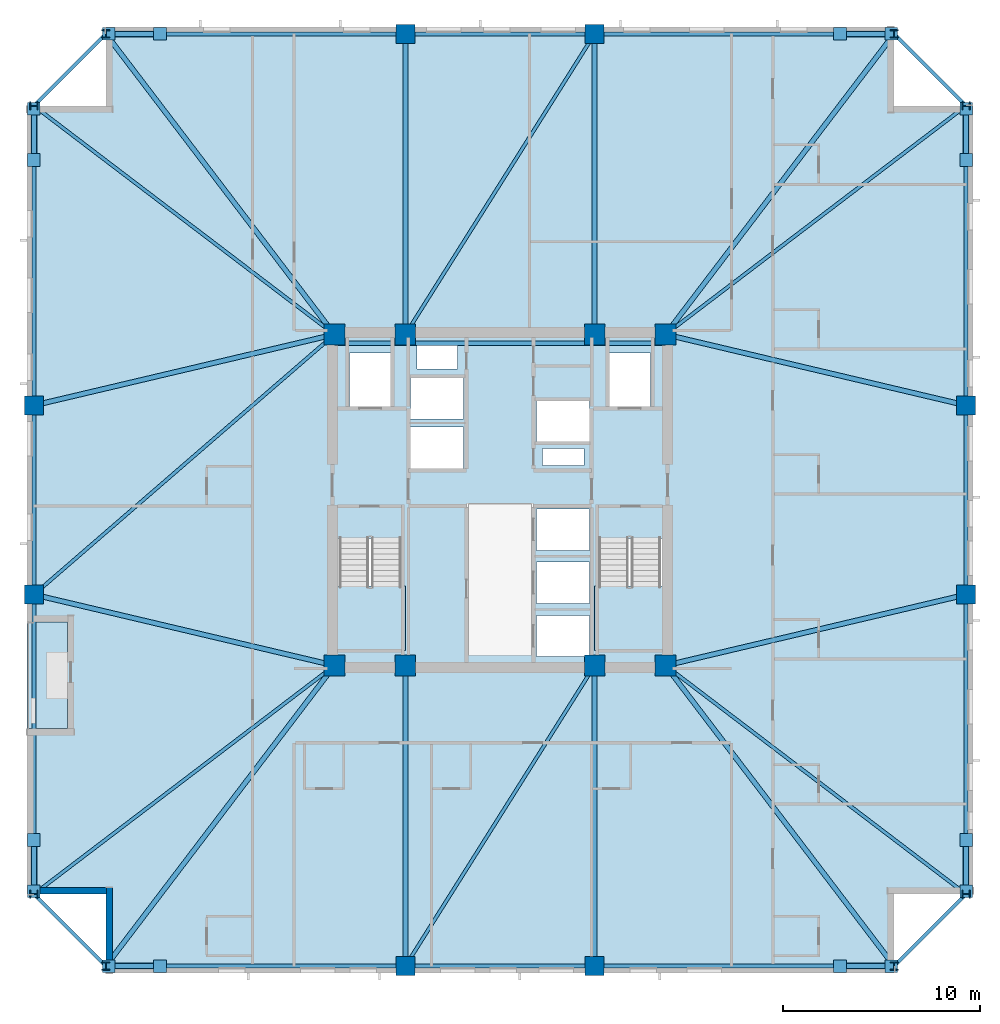
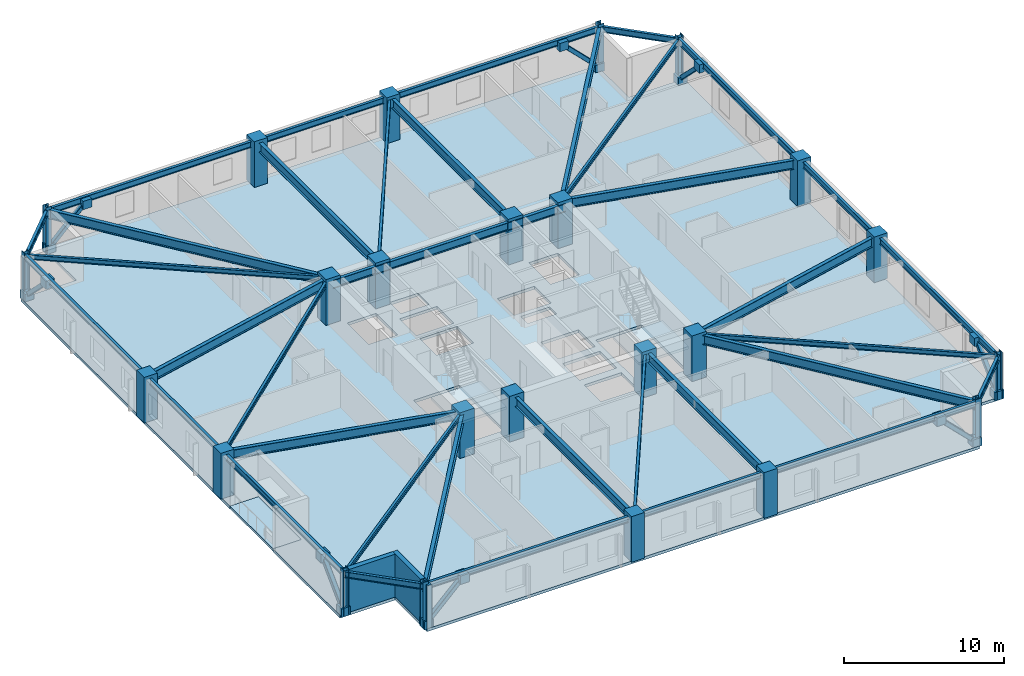
# One storey, part 1 of 11: 38 beams, 24 columns, 16 plates, 8 members, 4 slabs, 2 walls, 2 elements without a shape of their own.
"""IFC4 building model written with IfcOpenShell, lengths in metres."""

from ifc_helpers import new_model, si_unit, direction, frame, frame_2d, origin, origin_2d, place, context, subcontext, project, spatial, polyline, rectangle, hollow_rectangle, i_section, outline, extrude, material, layer, layer_set, material_profile, profile_set, type_object, element, aggregate, save


model = new_model("IFC4")

# Units and contexts
model_context = context("Model", 3, precision=1e-05, world=origin(), true_north=direction((0.0, 1.0)))
body_context = subcontext(model_context, "Body", "Model", "MODEL_VIEW")
ifc_project = project(units=[si_unit("LENGTHUNIT", "METRE"), si_unit("AREAUNIT", "SQUARE_METRE"), si_unit("VOLUMEUNIT", "CUBIC_METRE"), si_unit("PLANEANGLEUNIT", "RADIAN"), si_unit("MASSUNIT", "GRAM", prefix="KILO")], contexts=[model_context])

# Site, building, storey
site_placement = place(None, origin())
site = spatial("IfcSite", under=ifc_project, at=site_placement, CompositionType="ELEMENT")
building_placement = place(site_placement, origin())
building = spatial("IfcBuilding", under=site, at=building_placement, Name="Cairnveth Concourse Tower", CompositionType="ELEMENT")
storey_placement = place(building_placement, frame((0.0, 0.0, 134.0)))
storey = spatial("IfcBuildingStorey", under=building, at=storey_placement, Name="L36", CompositionType="ELEMENT", Elevation=134.0)

# Columns
ifc_material_1 = material(Name="Concrete N65 (65 MPa)", Category="concrete")
ifc_material_profile_1 = material_profile(ifc_material_1, rectangle(XDim=1.050048828125, YDim=1.050048828125, at=origin_2d()), Name="RC-COL-1050x1050")
ifc_profile_set_1 = profile_set([ifc_material_profile_1], Name="Concrete N65 (65 MPa)")
column_type_1 = type_object("IfcColumnType", Name="CORE COLUMN 1050X1050", PredefinedType="COLUMN", material=ifc_profile_set_1)
for number, where, z_axis, x_axis, name in (
    (1, (43.60009765625, 30.60009765625, 0.0), (0.0, 0.0, 1.0), (1.0, 0.0, 0.0), "Column CC1 L36"),
    (2, (47.199951171875, 30.60009765625, 0.0), (0.0, 0.0, 1.0), (1.0, 0.0, 0.0), "Column CC2 L36"),
    (3, (56.800048828125, 30.60009765625, 0.0), (0.0, 0.0, 1.0), (1.0, 0.0, 0.0), "Column CC3 L36"),
    (4, (60.39990234375, 30.60009765625, 0.0), (0.0, 0.0, 1.0), (1.0, 0.0, 0.0), "Column CC4 L36"),
    (5, (43.60009765625, 47.39990234375, 0.0), (0.0, 0.0, 1.0), (1.0, 0.0, 0.0), "Column CC5 L36"),
    (6, (47.199951171875, 47.39990234375, 0.0), (0.0, 0.0, 1.0), (1.0, 0.0, 0.0), "Column CC6 L36"),
    (7, (56.800048828125, 47.39990234375, 0.0), (0.0, 0.0, 1.0), (1.0, 0.0, 0.0), "Column CC7 L36"),
    (8, (60.39990234375, 47.39990234375, 0.0), (0.0, 0.0, 1.0), (1.0, 0.0, 0.0), "Column CC8 L36"),
):
    element("IfcColumn", number, at=place(storey_placement, frame(where, z_axis=z_axis, x_axis=x_axis)), inside=storey, type_object=column_type_1, Name=name, PredefinedType="COLUMN", context=body_context, shape_type="SweptSolid", body=[
        extrude(rectangle(XDim=1.050048828125, YDim=1.050048828125, at=origin_2d()), origin(), (0.0, 0.0, 1.0), 3.5),
    ])
ifc_material_profile_2 = material_profile(ifc_material_1, rectangle(XDim=0.949951171875, YDim=0.949951171875, at=origin_2d()), Name="RC-COL-950x950")
ifc_profile_set_2 = profile_set([ifc_material_profile_2], Name="Concrete N65 (65 MPa)")
column_type_2 = type_object("IfcColumnType", Name="PERIMETER PIER COLUMN 950X950", PredefinedType="COLUMN", material=ifc_profile_set_2)
for number, where, z_axis, x_axis, name in (
    (9, (47.199951171875, 15.35009765625, 0.0), (0.0, 0.0, 1.0), (1.0, 0.0, 0.0), "Column P-S2 L36"),
    (10, (56.800048828125, 15.35009765625, 0.0), (0.0, 0.0, 1.0), (1.0, 0.0, 0.0), "Column P-S3 L36"),
    (11, (75.64990234375, 34.199951171875, 0.0), (0.0, 0.0, 1.0), (0.0, 1.0, 0.0), "Column P-E2 L36"),
    (12, (75.64990234375, 43.800048828125, 0.0), (0.0, 0.0, 1.0), (0.0, 1.0, 0.0), "Column P-E3 L36"),
    (13, (56.800048828125, 62.64990234375, 0.0), (0.0, 0.0, 1.0), (1.0, 0.0, 0.0), "Column P-N2 L36"),
    (14, (47.199951171875, 62.64990234375, 0.0), (0.0, 0.0, 1.0), (1.0, 0.0, 0.0), "Column P-N3 L36"),
    (15, (28.35009765625, 43.800048828125, 0.0), (0.0, 0.0, 1.0), (0.0, 1.0, 0.0), "Column P-W2 L36"),
    (16, (28.35009765625, 34.199951171875, 0.0), (0.0, 0.0, 1.0), (0.0, 1.0, 0.0), "Column P-W3 L36"),
):
    element("IfcColumn", number, at=place(storey_placement, frame(where, z_axis=z_axis, x_axis=x_axis)), inside=storey, type_object=column_type_2, Name=name, PredefinedType="COLUMN", context=body_context, shape_type="SweptSolid", body=[
        extrude(rectangle(XDim=0.949951171875, YDim=0.949951171875, at=origin_2d()), origin(), (0.0, 0.0, 1.0), 3.5),
    ])
ifc_material_2 = material(Name="Steel Grade 350", Category="steel")
ifc_material_profile_3 = material_profile(ifc_material_2, i_section(OverallWidth=0.39990234375, OverallDepth=0.39990234375, WebThickness=0.02197265625, FlangeThickness=0.035888671875, at=origin_2d()), Name="400WC270")
ifc_profile_set_3 = profile_set([ifc_material_profile_3], Name="Steel Grade 350")
column_type_3 = type_object("IfcColumnType", Name="WELDED STEEL COLUMN 400WC270", PredefinedType="COLUMN", material=ifc_profile_set_3)
for number, where, z_axis, x_axis, name in (
    (17, (32.0, 15.35009765625, 0.0), (0.0, 0.0, 1.0), (1.0, 0.0, 0.0), "Column P-S1 L36"),
    (18, (72.0, 15.35009765625, 0.0), (0.0, 0.0, 1.0), (1.0, 0.0, 0.0), "Column P-S4 L36"),
    (19, (75.64990234375, 19.0, 0.0), (0.0, 0.0, 1.0), (0.0, 1.0, 0.0), "Column P-E1 L36"),
    (20, (75.64990234375, 59.0, 0.0), (0.0, 0.0, 1.0), (0.0, 1.0, 0.0), "Column P-E4 L36"),
    (21, (72.0, 62.64990234375, 0.0), (0.0, 0.0, 1.0), (1.0, 0.0, 0.0), "Column P-N1 L36"),
    (22, (32.0, 62.64990234375, 0.0), (0.0, 0.0, 1.0), (1.0, 0.0, 0.0), "Column P-N4 L36"),
    (23, (28.35009765625, 59.0, 0.0), (0.0, 0.0, 1.0), (0.0, 1.0, 0.0), "Column P-W1 L36"),
    (24, (28.35009765625, 19.0, 0.0), (0.0, 0.0, 1.0), (0.0, 1.0, 0.0), "Column P-W4 L36"),
):
    element("IfcColumn", number, at=place(storey_placement, frame(where, z_axis=z_axis, x_axis=x_axis)), inside=storey, type_object=column_type_3, Name=name, PredefinedType="COLUMN", context=body_context, shape_type="SweptSolid", body=[
        extrude(i_section(OverallWidth=0.39990234375, OverallDepth=0.39990234375, WebThickness=0.02197265625, FlangeThickness=0.035888671875, at=origin_2d()), origin(), (0.0, 0.0, 1.0), 3.5),
    ])

# Beams
ifc_material_profile_4 = material_profile(ifc_material_2, i_section(OverallWidth=0.22802734375, OverallDepth=0.60693359375, WebThickness=0.01123046875, FlangeThickness=0.017333984375, FilletRadius=0.013916015625, at=origin_2d()), Name="610UB113")
ifc_profile_set_4 = profile_set([ifc_material_profile_4], Name="Steel Grade 350")
beam_type_1 = type_object("IfcBeamType", Name="CORE TIE BEAM 610UB113", PredefinedType="T_BEAM", material=ifc_profile_set_4)
for number, where, z_axis, x_axis, name in (
    (25, (43.60009765625, 46.949951171875, 2.9765625), (1.0, 0.0, 0.0), (0.0, 1.0, 0.0), "Beam CT-N1 L36"),
    (26, (56.800048828125, 46.949951171875, 2.9765625), (1.0, 0.0, 0.0), (0.0, 1.0, 0.0), "Beam CT-N3 L36"),
):
    element("IfcBeam", number, at=place(storey_placement, frame(where, z_axis=z_axis, x_axis=x_axis)), inside=storey, type_object=beam_type_1, Name=name, PredefinedType="T_BEAM", context=body_context, shape_type="SweptSolid", body=[
        extrude(i_section(OverallWidth=0.22802734375, OverallDepth=0.60693359375, WebThickness=0.01123046875, FlangeThickness=0.017333984375, FilletRadius=0.013916015625, at=origin_2d()), origin(), (0.0, 0.0, 1.0), 3.599853515625),
    ])
beam_1_placement = place(storey_placement, frame((47.199951171875, 46.949951171875, 2.9765625), z_axis=(1.0, 0.0, 0.0), x_axis=(0.0, 1.0, 0.0)))
element("IfcBeam", 27, at=beam_1_placement, inside=storey, type_object=beam_type_1, Name="Beam CT-N2 L36", PredefinedType="T_BEAM", context=body_context, shape_type="SweptSolid", body=[
    extrude(i_section(OverallWidth=0.22802734375, OverallDepth=0.60693359375, WebThickness=0.01123046875, FlangeThickness=0.017333984375, FilletRadius=0.013916015625, at=origin_2d()), origin(), (0.0, 0.0, 1.0), 9.60009765625),
])
ifc_material_profile_5 = material_profile(ifc_material_2, i_section(OverallWidth=0.172119140625, OverallDepth=0.35888671875, WebThickness=0.008056640625, FlangeThickness=0.012939453125, FilletRadius=0.010986328125, at=origin_2d()), Name="360UB56.7")
ifc_profile_set_5 = profile_set([ifc_material_profile_5], Name="Steel Grade 350")
beam_type_2 = type_object("IfcBeamType", Name="ZONE 2 FLOOR JOIST 360UB56.7", PredefinedType="JOIST", material=ifc_profile_set_5)
for number, where, z_axis, x_axis, name in (
    (28, (28.35009765625, 19.0, 3.1005859375), (0.795908242904, 0.6054172684, 0.0), (-0.6054172684, 0.795908242904, 0.0), "Beam FJ-CSW2 L36"),
    (29, (75.64990234375, 19.0, 3.1005859375), (-0.795908242904, 0.6054172684, 0.0), (-0.6054172684, -0.795908242904, 0.0), "Beam FJ-CSE2 L36"),
    (30, (75.64990234375, 59.0, 3.1005859375), (-0.795908242904, -0.6054172684, 0.0), (0.6054172684, -0.795908242904, 0.0), "Beam FJ-CNE2 L36"),
    (31, (28.35009765625, 59.0, 3.1005859375), (0.795908242904, -0.6054172684, 0.0), (0.6054172684, 0.795908242904, 0.0), "Beam FJ-CNW2 L36"),
):
    element("IfcBeam", number, at=place(storey_placement, frame(where, z_axis=z_axis, x_axis=x_axis)), inside=storey, type_object=beam_type_2, Name=name, PredefinedType="JOIST", context=body_context, shape_type="SweptSolid", body=[
        extrude(i_section(OverallWidth=0.172119140625, OverallDepth=0.35888671875, WebThickness=0.008056640625, FlangeThickness=0.012939453125, FilletRadius=0.010986328125, at=origin_2d()), origin(), (0.0, 0.0, 1.0), 19.160400390625),
    ])
for number, where, z_axis, x_axis, name in (
    (32, (47.199951171875, 15.35009765625, 3.1005859375), (0.532743557037, 0.84627672923, 0.0), (-0.84627672923, 0.532743557037, 0.0), "Beam FJ-S-M1 L36"),
    (33, (47.199951171875, 47.39990234375, 3.1005859375), (0.532743557037, 0.84627672923, 0.0), (-0.84627672923, 0.532743557037, 0.0), "Beam FJ-N-M1 L36"),
):
    element("IfcBeam", number, at=place(storey_placement, frame(where, z_axis=z_axis, x_axis=x_axis)), inside=storey, type_object=beam_type_2, Name=name, PredefinedType="JOIST", context=body_context, shape_type="SweptSolid", body=[
        extrude(i_section(OverallWidth=0.172119140625, OverallDepth=0.35888671875, WebThickness=0.008056640625, FlangeThickness=0.012939453125, FilletRadius=0.010986328125, at=origin_2d()), origin(), (0.0, 0.0, 1.0), 18.02001953125),
    ])
beam_2_placement = place(storey_placement, frame((28.35009765625, 34.199951171875, 3.1005859375), z_axis=(0.756099107057, 0.654457134049, 0.0), x_axis=(-0.654457134049, 0.756099107057, 0.0)))
element("IfcBeam", 34, at=beam_2_placement, inside=storey, type_object=beam_type_2, Name="Beam FJ-W-M1 L36", PredefinedType="JOIST", context=body_context, shape_type="SweptSolid", body=[
    extrude(i_section(OverallWidth=0.172119140625, OverallDepth=0.35888671875, WebThickness=0.008056640625, FlangeThickness=0.012939453125, FilletRadius=0.010986328125, at=origin_2d()), origin(), (0.0, 0.0, 1.0), 20.16943359375),
])

# Members
ifc_material_3 = material(Name="Steel C350L0 (350 MPa)", Category="steel")
ifc_material_profile_6 = material_profile(ifc_material_3, hollow_rectangle(XDim=0.300048828125, YDim=0.300048828125, WallThickness=0.01611328125, InnerFilletRadius=0.01611328125, OuterFilletRadius=0.031982421875, at=origin_2d()), Name="300x300x16.0SHS")
ifc_profile_set_6 = profile_set([ifc_material_profile_6], Name="Steel C350L0 (350 MPa)")
member_type = type_object("IfcMemberType", Name="ZONE 2 PIER BRACE 300X300X16SHS", PredefinedType="BRACE", material=ifc_profile_set_6)
for number, where, z_axis, x_axis, name in (
    (35, (32.14990234375, 15.35009765625, 0.25), (0.709834195787, 0.0, 0.704368805735), (0.0, 1.0, 0.0), "Structural Brace PB-S1 L36"),
    (36, (71.85009765625, 15.35009765625, 0.25), (-0.709834195787, 0.0, 0.704368805735), (0.0, -1.0, 0.0), "Structural Brace PB-S2 L36"),
    (37, (32.14990234375, 62.64990234375, 0.25), (0.709834195787, 0.0, 0.704368805735), (0.0, 1.0, 0.0), "Structural Brace PB-N1 L36"),
    (38, (71.85009765625, 62.64990234375, 0.25), (-0.709834195787, 0.0, 0.704368805735), (0.0, -1.0, 0.0), "Structural Brace PB-N2 L36"),
    (39, (28.35009765625, 19.14990234375, 0.25), (0.0, 0.709834195787, 0.704368805735), (-1.0, 0.0, 0.0), "Structural Brace PB-W1 L36"),
    (40, (28.35009765625, 58.85009765625, 0.25), (0.0, -0.709834195787, 0.704368805735), (1.0, 0.0, 0.0), "Structural Brace PB-W2 L36"),
    (41, (75.64990234375, 19.14990234375, 0.25), (0.0, 0.709834195787, 0.704368805735), (-1.0, 0.0, 0.0), "Structural Brace PB-E1 L36"),
    (42, (75.64990234375, 58.85009765625, 0.25), (0.0, -0.709834195787, 0.704368805735), (1.0, 0.0, 0.0), "Structural Brace PB-E2 L36"),
):
    element("IfcMember", number, at=place(storey_placement, frame(where, z_axis=z_axis, x_axis=x_axis)), inside=storey, type_object=member_type, Name=name, PredefinedType="BRACE", context=body_context, shape_type="SweptSolid", body=[
        extrude(hollow_rectangle(XDim=0.300048828125, YDim=0.300048828125, WallThickness=0.01611328125, InnerFilletRadius=0.01611328125, OuterFilletRadius=0.031982421875, at=origin_2d()), origin(), (0.0, 0.0, 1.0), 3.6630859375),
    ])

# Beams
ifc_material_profile_7 = material_profile(ifc_material_2, i_section(OverallWidth=0.25, OverallDepth=0.699951171875, WebThickness=0.011962890625, FlangeThickness=0.028076171875, at=origin_2d()), Name="700WB173")
ifc_profile_set_7 = profile_set([ifc_material_profile_7], Name="Steel Grade 350")
beam_type_3 = type_object("IfcBeamType", Name="ZONE 2 RADIAL GIRDER 700WB173", PredefinedType="BEAM", material=ifc_profile_set_7)
for number, where, z_axis, x_axis, name in (
    (43, (47.199951171875, 15.35009765625, 2.929931640625), (0.0, 1.0, 0.0), (-1.0, 0.0, 0.0), "Beam RG-S1 L36"),
    (44, (56.800048828125, 15.35009765625, 2.929931640625), (0.0, 1.0, 0.0), (-1.0, 0.0, 0.0), "Beam RG-S2 L36"),
    (45, (47.199951171875, 47.39990234375, 2.929931640625), (0.0, 1.0, 0.0), (-1.0, 0.0, 0.0), "Beam RG-N1 L36"),
    (46, (56.800048828125, 47.39990234375, 2.929931640625), (0.0, 1.0, 0.0), (-1.0, 0.0, 0.0), "Beam RG-N2 L36"),
):
    element("IfcBeam", number, at=place(storey_placement, frame(where, z_axis=z_axis, x_axis=x_axis)), inside=storey, type_object=beam_type_3, Name=name, PredefinedType="BEAM", context=body_context, shape_type="SweptSolid", body=[
        extrude(i_section(OverallWidth=0.25, OverallDepth=0.699951171875, WebThickness=0.011962890625, FlangeThickness=0.028076171875, at=origin_2d()), origin(), (0.0, 0.0, 1.0), 15.25),
    ])
for number, where, z_axis, x_axis, name in (
    (47, (28.35009765625, 34.199951171875, 2.929931640625), (0.973251602929, -0.229741849468, 0.0), (0.229741849468, 0.973251602929, 0.0), "Beam RG-W1 L36"),
    (48, (28.35009765625, 43.800048828125, 2.929931640625), (0.973251602929, 0.229741849468, 0.0), (-0.229741849468, 0.973251602929, 0.0), "Beam RG-W2 L36"),
    (49, (60.39990234375, 30.60009765625, 2.929931640625), (0.973251602929, 0.229741849468, 0.0), (-0.229741849468, 0.973251602929, 0.0), "Beam RG-E1 L36"),
    (50, (60.39990234375, 47.39990234375, 2.929931640625), (0.973251602929, -0.229741849468, 0.0), (0.229741849468, 0.973251602929, 0.0), "Beam RG-E2 L36"),
):
    element("IfcBeam", number, at=place(storey_placement, frame(where, z_axis=z_axis, x_axis=x_axis)), inside=storey, type_object=beam_type_3, Name=name, PredefinedType="BEAM", context=body_context, shape_type="SweptSolid", body=[
        extrude(i_section(OverallWidth=0.25, OverallDepth=0.699951171875, WebThickness=0.011962890625, FlangeThickness=0.028076171875, at=origin_2d()), origin(), (0.0, 0.0, 1.0), 15.669189453125),
    ])
for number, where, z_axis, x_axis, name in (
    (51, (32.0, 15.35009765625, 2.929931640625), (0.6054172684, 0.795908242904, 0.0), (-0.795908242904, 0.6054172684, 0.0), "Beam RG-CSW L36"),
    (52, (72.0, 15.35009765625, 2.929931640625), (-0.6054172684, 0.795908242904, 0.0), (-0.795908242904, -0.6054172684, 0.0), "Beam RG-CSE L36"),
    (53, (72.0, 62.64990234375, 2.929931640625), (-0.6054172684, -0.795908242904, 0.0), (0.795908242904, -0.6054172684, 0.0), "Beam RG-CNE L36"),
    (54, (32.0, 62.64990234375, 2.929931640625), (0.6054172684, -0.795908242904, 0.0), (0.795908242904, 0.6054172684, 0.0), "Beam RG-CNW L36"),
):
    element("IfcBeam", number, at=place(storey_placement, frame(where, z_axis=z_axis, x_axis=x_axis)), inside=storey, type_object=beam_type_3, Name=name, PredefinedType="BEAM", context=body_context, shape_type="SweptSolid", body=[
        extrude(i_section(OverallWidth=0.25, OverallDepth=0.699951171875, WebThickness=0.011962890625, FlangeThickness=0.028076171875, at=origin_2d()), origin(), (0.0, 0.0, 1.0), 19.160400390625),
    ])
ifc_material_profile_8 = material_profile(ifc_material_2, i_section(OverallWidth=0.18994140625, OverallDepth=0.45703125, WebThickness=0.009033203125, FlangeThickness=0.014404296875, FilletRadius=0.010986328125, at=origin_2d()), Name="460UB74.6")
ifc_profile_set_8 = profile_set([ifc_material_profile_8], Name="Steel Grade 350")
beam_type_4 = type_object("IfcBeamType", Name="ZONE 2 SPANDREL BEAM 460UB74.6", PredefinedType="SPANDREL", material=ifc_profile_set_8)
beam_3_placement = place(storey_placement, frame((32.0, 15.35009765625, 3.051513671875), z_axis=(1.0, 0.0, 0.0), x_axis=(0.0, 1.0, 0.0)))
element("IfcBeam", 55, at=beam_3_placement, inside=storey, type_object=beam_type_4, Name="Beam SP-S1 L36", PredefinedType="SPANDREL", context=body_context, shape_type="SweptSolid", body=[
    extrude(i_section(OverallWidth=0.18994140625, OverallDepth=0.45703125, WebThickness=0.009033203125, FlangeThickness=0.014404296875, FilletRadius=0.010986328125, at=origin_2d()), origin(), (0.0, 0.0, 1.0), 15.199951171875),
])
beam_4_placement = place(storey_placement, frame((47.199951171875, 15.35009765625, 3.051513671875), z_axis=(1.0, 0.0, 0.0), x_axis=(0.0, 1.0, 0.0)))
element("IfcBeam", 56, at=beam_4_placement, inside=storey, type_object=beam_type_4, Name="Beam SP-S2 L36", PredefinedType="SPANDREL", context=body_context, shape_type="SweptSolid", body=[
    extrude(i_section(OverallWidth=0.18994140625, OverallDepth=0.45703125, WebThickness=0.009033203125, FlangeThickness=0.014404296875, FilletRadius=0.010986328125, at=origin_2d()), origin(), (0.0, 0.0, 1.0), 9.60009765625),
])
for number, where, z_axis, x_axis, name in (
    (57, (56.800048828125, 15.35009765625, 3.051513671875), (1.0, 0.0, 0.0), (0.0, 1.0, 0.0), "Beam SP-S3 L36"),
    (58, (32.0, 62.64990234375, 3.051513671875), (1.0, 0.0, 0.0), (0.0, 1.0, 0.0), "Beam SP-N1 L36"),
):
    element("IfcBeam", number, at=place(storey_placement, frame(where, z_axis=z_axis, x_axis=x_axis)), inside=storey, type_object=beam_type_4, Name=name, PredefinedType="SPANDREL", context=body_context, shape_type="SweptSolid", body=[
        extrude(i_section(OverallWidth=0.18994140625, OverallDepth=0.45703125, WebThickness=0.009033203125, FlangeThickness=0.014404296875, FilletRadius=0.010986328125, at=origin_2d()), origin(), (0.0, 0.0, 1.0), 15.199951171875),
    ])
beam_5_placement = place(storey_placement, frame((47.199951171875, 62.64990234375, 3.051513671875), z_axis=(1.0, 0.0, 0.0), x_axis=(0.0, 1.0, 0.0)))
element("IfcBeam", 59, at=beam_5_placement, inside=storey, type_object=beam_type_4, Name="Beam SP-N2 L36", PredefinedType="SPANDREL", context=body_context, shape_type="SweptSolid", body=[
    extrude(i_section(OverallWidth=0.18994140625, OverallDepth=0.45703125, WebThickness=0.009033203125, FlangeThickness=0.014404296875, FilletRadius=0.010986328125, at=origin_2d()), origin(), (0.0, 0.0, 1.0), 9.60009765625),
])
for number, where, z_axis, x_axis, name in (
    (60, (56.800048828125, 62.64990234375, 3.051513671875), (1.0, 0.0, 0.0), (0.0, 1.0, 0.0), "Beam SP-N3 L36"),
    (61, (28.35009765625, 19.0, 3.051513671875), (0.0, 1.0, 0.0), (-1.0, 0.0, 0.0), "Beam SP-W1 L36"),
):
    element("IfcBeam", number, at=place(storey_placement, frame(where, z_axis=z_axis, x_axis=x_axis)), inside=storey, type_object=beam_type_4, Name=name, PredefinedType="SPANDREL", context=body_context, shape_type="SweptSolid", body=[
        extrude(i_section(OverallWidth=0.18994140625, OverallDepth=0.45703125, WebThickness=0.009033203125, FlangeThickness=0.014404296875, FilletRadius=0.010986328125, at=origin_2d()), origin(), (0.0, 0.0, 1.0), 15.199951171875),
    ])
beam_6_placement = place(storey_placement, frame((28.35009765625, 34.199951171875, 3.051513671875), z_axis=(0.0, 1.0, 0.0), x_axis=(-1.0, 0.0, 0.0)))
element("IfcBeam", 62, at=beam_6_placement, inside=storey, type_object=beam_type_4, Name="Beam SP-W2 L36", PredefinedType="SPANDREL", context=body_context, shape_type="SweptSolid", body=[
    extrude(i_section(OverallWidth=0.18994140625, OverallDepth=0.45703125, WebThickness=0.009033203125, FlangeThickness=0.014404296875, FilletRadius=0.010986328125, at=origin_2d()), origin(), (0.0, 0.0, 1.0), 9.60009765625),
])
for number, where, z_axis, x_axis, name in (
    (63, (28.35009765625, 43.800048828125, 3.051513671875), (0.0, 1.0, 0.0), (-1.0, 0.0, 0.0), "Beam SP-W3 L36"),
    (64, (75.64990234375, 19.0, 3.051513671875), (0.0, 1.0, 0.0), (-1.0, 0.0, 0.0), "Beam SP-E1 L36"),
):
    element("IfcBeam", number, at=place(storey_placement, frame(where, z_axis=z_axis, x_axis=x_axis)), inside=storey, type_object=beam_type_4, Name=name, PredefinedType="SPANDREL", context=body_context, shape_type="SweptSolid", body=[
        extrude(i_section(OverallWidth=0.18994140625, OverallDepth=0.45703125, WebThickness=0.009033203125, FlangeThickness=0.014404296875, FilletRadius=0.010986328125, at=origin_2d()), origin(), (0.0, 0.0, 1.0), 15.199951171875),
    ])
beam_7_placement = place(storey_placement, frame((75.64990234375, 34.199951171875, 3.051513671875), z_axis=(0.0, 1.0, 0.0), x_axis=(-1.0, 0.0, 0.0)))
element("IfcBeam", 65, at=beam_7_placement, inside=storey, type_object=beam_type_4, Name="Beam SP-E2 L36", PredefinedType="SPANDREL", context=body_context, shape_type="SweptSolid", body=[
    extrude(i_section(OverallWidth=0.18994140625, OverallDepth=0.45703125, WebThickness=0.009033203125, FlangeThickness=0.014404296875, FilletRadius=0.010986328125, at=origin_2d()), origin(), (0.0, 0.0, 1.0), 9.60009765625),
])
beam_8_placement = place(storey_placement, frame((75.64990234375, 43.800048828125, 3.051513671875), z_axis=(0.0, 1.0, 0.0), x_axis=(-1.0, 0.0, 0.0)))
element("IfcBeam", 66, at=beam_8_placement, inside=storey, type_object=beam_type_4, Name="Beam SP-E3 L36", PredefinedType="SPANDREL", context=body_context, shape_type="SweptSolid", body=[
    extrude(i_section(OverallWidth=0.18994140625, OverallDepth=0.45703125, WebThickness=0.009033203125, FlangeThickness=0.014404296875, FilletRadius=0.010986328125, at=origin_2d()), origin(), (0.0, 0.0, 1.0), 15.199951171875),
])
for number, where, z_axis, x_axis, name in (
    (67, (28.35009765625, 19.0, 3.051513671875), (0.707106781187, -0.707106781187, 0.0), (0.707106781187, 0.707106781187, 0.0), "Beam SP-SW L36"),
    (68, (72.0, 15.35009765625, 3.051513671875), (0.707106781187, 0.707106781187, 0.0), (-0.707106781187, 0.707106781187, 0.0), "Beam SP-SE L36"),
    (69, (72.0, 62.64990234375, 3.051513671875), (0.707106781187, -0.707106781187, 0.0), (0.707106781187, 0.707106781187, 0.0), "Beam SP-NE L36"),
    (70, (28.35009765625, 59.0, 3.051513671875), (0.707106781187, 0.707106781187, 0.0), (-0.707106781187, 0.707106781187, 0.0), "Beam SP-NW L36"),
):
    element("IfcBeam", number, at=place(storey_placement, frame(where, z_axis=z_axis, x_axis=x_axis)), inside=storey, type_object=beam_type_4, Name=name, PredefinedType="SPANDREL", context=body_context, shape_type="SweptSolid", body=[
        extrude(i_section(OverallWidth=0.18994140625, OverallDepth=0.45703125, WebThickness=0.009033203125, FlangeThickness=0.014404296875, FilletRadius=0.010986328125, at=origin_2d()), origin(), (0.0, 0.0, 1.0), 5.16162109375),
    ])

# Slab
ifc_material_4 = material(Name="Concrete N50 (50 MPa)", Category="concrete")
ifc_layer_1 = layer(ifc_material_4, 0.219970703125)
ifc_layer_set_1 = layer_set([ifc_layer_1], Name="Concrete N50 (50 MPa)")
slab_type_1 = type_object("IfcSlabType", Name="LOWER TOWER COMPOSITE SLAB 220", PredefinedType="FLOOR", material=ifc_layer_set_1)
slab_1_placement = place(storey_placement, frame((0.0, 0.0, -0.219970703125)))
element("IfcSlab", 71, at=slab_1_placement, inside=storey, type_object=slab_type_1, Name="Tower Floor Slab L36", PredefinedType="FLOOR", context=body_context, shape_type="SweptSolid", body=[
    extrude(outline(polyline([(28.0, 32.800048828125), (30.050048828125, 32.800048828125), (30.050048828125, 27.39990234375), (28.0, 27.39990234375), (28.0, 19.0), (32.0, 19.0), (32.0, 15.0), (72.0, 15.0), (72.0, 19.0), (76.0, 19.0), (76.0, 59.0), (72.0, 59.0), (72.0, 63.0), (32.0, 63.0), (32.0, 59.0), (28.0, 59.0), (28.0, 32.800048828125)]), holes=[polyline([(43.760009765625, 31.360107421875), (47.06005859375, 31.360107421875), (47.06005859375, 37.0400390625), (43.760009765625, 37.0400390625), (43.760009765625, 31.360107421875)]), polyline([(56.93994140625, 31.360107421875), (60.239990234375, 31.360107421875), (60.239990234375, 37.0400390625), (56.93994140625, 37.0400390625), (56.93994140625, 31.360107421875)]), polyline([(44.3701171875, 43.75), (46.469970703125, 43.75), (46.469970703125, 46.449951171875), (44.3701171875, 46.449951171875), (44.3701171875, 43.75)]), polyline([(57.530029296875, 43.75), (59.6298828125, 43.75), (59.6298828125, 46.449951171875), (57.530029296875, 46.449951171875), (57.530029296875, 43.75)]), polyline([(53.85009765625, 31.050048828125), (56.550048828125, 31.050048828125), (56.550048828125, 33.14990234375), (53.85009765625, 33.14990234375), (53.85009765625, 31.050048828125)]), polyline([(53.85009765625, 33.75), (56.550048828125, 33.75), (56.550048828125, 35.85009765625), (53.85009765625, 35.85009765625), (53.85009765625, 33.75)]), polyline([(53.85009765625, 36.449951171875), (56.550048828125, 36.449951171875), (56.550048828125, 38.550048828125), (53.85009765625, 38.550048828125), (53.85009765625, 36.449951171875)]), polyline([(47.449951171875, 40.60009765625), (50.14990234375, 40.60009765625), (50.14990234375, 42.699951171875), (47.449951171875, 42.699951171875), (47.449951171875, 40.60009765625)]), polyline([(47.449951171875, 43.10009765625), (50.14990234375, 43.10009765625), (50.14990234375, 45.199951171875), (47.449951171875, 45.199951171875), (47.449951171875, 43.10009765625)]), polyline([(53.85009765625, 41.949951171875), (56.550048828125, 41.949951171875), (56.550048828125, 44.050048828125), (53.85009765625, 44.050048828125), (53.85009765625, 41.949951171875)]), polyline([(47.800048828125, 45.64990234375), (49.85009765625, 45.64990234375), (49.85009765625, 47.050048828125), (47.800048828125, 47.050048828125), (47.800048828125, 45.64990234375)]), polyline([(54.14990234375, 40.75), (56.25, 40.75), (56.25, 41.6201171875), (54.14990234375, 41.6201171875), (54.14990234375, 40.75)])]), origin(), (0.0, 0.0, 1.0), 0.219970703125),
])

# Plates
ifc_layer_2 = layer(ifc_material_2, 0.031982421875)
ifc_layer_set_2 = layer_set([ifc_layer_2], Name="Steel Grade 350")
plate_type = type_object("IfcPlateType", Name="PERIMETER BRACE GUSSET PLATE 32", PredefinedType="USERDEFINED", material=ifc_layer_set_2)
for number, where, z_axis, x_axis, name in (
    (72, (32.14990234375, 15.35009765625, -0.06982421875), (0.0, 0.0, 1.0), (1.0, 0.0, 0.0), "Structural Node Plate 0609 L36"),
    (73, (34.75, 15.35009765625, 2.51025390625), (0.0, 0.0, 1.0), (1.0, 0.0, 0.0), "Structural Node Plate 0610 L36"),
    (74, (71.85009765625, 15.35009765625, -0.06982421875), (0.0, 0.0, 1.0), (1.0, 0.0, 0.0), "Structural Node Plate 0611 L36"),
    (75, (69.25, 15.35009765625, 2.51025390625), (0.0, 0.0, 1.0), (1.0, 0.0, 0.0), "Structural Node Plate 0612 L36"),
    (76, (32.14990234375, 62.64990234375, -0.06982421875), (0.0, 0.0, 1.0), (1.0, 0.0, 0.0), "Structural Node Plate 0613 L36"),
    (77, (34.75, 62.64990234375, 2.51025390625), (0.0, 0.0, 1.0), (1.0, 0.0, 0.0), "Structural Node Plate 0614 L36"),
    (78, (71.85009765625, 62.64990234375, -0.06982421875), (0.0, 0.0, 1.0), (1.0, 0.0, 0.0), "Structural Node Plate 0615 L36"),
    (79, (69.25, 62.64990234375, 2.51025390625), (0.0, 0.0, 1.0), (1.0, 0.0, 0.0), "Structural Node Plate 0616 L36"),
    (80, (28.35009765625, 19.14990234375, -0.06982421875), (0.0, 0.0, 1.0), (1.0, 0.0, 0.0), "Structural Node Plate 0617 L36"),
    (81, (28.35009765625, 21.75, 2.51025390625), (0.0, 0.0, 1.0), (1.0, 0.0, 0.0), "Structural Node Plate 0618 L36"),
    (82, (28.35009765625, 58.85009765625, -0.06982421875), (0.0, 0.0, 1.0), (1.0, 0.0, 0.0), "Structural Node Plate 0619 L36"),
    (83, (28.35009765625, 56.25, 2.51025390625), (0.0, 0.0, 1.0), (1.0, 0.0, 0.0), "Structural Node Plate 0620 L36"),
    (84, (75.64990234375, 19.14990234375, -0.06982421875), (0.0, 0.0, 1.0), (1.0, 0.0, 0.0), "Structural Node Plate 0621 L36"),
    (85, (75.64990234375, 21.75, 2.51025390625), (0.0, 0.0, 1.0), (1.0, 0.0, 0.0), "Structural Node Plate 0622 L36"),
    (86, (75.64990234375, 58.85009765625, -0.06982421875), (0.0, 0.0, 1.0), (1.0, 0.0, 0.0), "Structural Node Plate 0623 L36"),
    (87, (75.64990234375, 56.25, 2.51025390625), (0.0, 0.0, 1.0), (1.0, 0.0, 0.0), "Structural Node Plate 0624 L36"),
):
    element("IfcPlate", number, at=place(storey_placement, frame(where, z_axis=z_axis, x_axis=x_axis)), inside=storey, type_object=plate_type, Name=name, ObjectType="GUSSET PLATE", PredefinedType="USERDEFINED", context=body_context, shape_type="SweptSolid", body=[
        extrude(rectangle(XDim=0.639892578125, YDim=0.639892578125, at=origin_2d()), origin(), (0.0, 0.0, 1.0), 0.639892578125),
    ])

# Slab
ifc_layer_3 = layer(ifc_material_4, 0.18994140625)
ifc_layer_set_3 = layer_set([ifc_layer_3], Name="Concrete N50 (50 MPa)")
slab_type_2 = type_object("IfcSlabType", Name="SPIRAL OUTDOOR TERRACE SLAB 190", PredefinedType="FLOOR", material=ifc_layer_set_3)
slab_2_placement = place(storey_placement, frame((0.0, 0.0, -0.18994140625)))
element("IfcSlab", 88, at=slab_2_placement, inside=storey, type_object=slab_type_2, Name="Spiral Terrace Slab L36", PredefinedType="FLOOR", context=body_context, shape_type="SweptSolid", body=[
    extrude(outline(polyline([(28.0, 27.39990234375), (30.050048828125, 27.39990234375), (30.050048828125, 32.800048828125), (28.0, 32.800048828125), (28.0, 27.39990234375)])), origin(), (0.0, 0.0, 1.0), 0.18994140625),
])

# Stair, slab
ifc_material_5 = material(Name="Precast concrete N50 (50 MPa)", Category="concrete")
stair_type = type_object("IfcStairType", Name="CORE DOG-LEG FIRE STAIR 1500", PredefinedType="HALF_TURN_STAIR", material=ifc_material_5)
stair_1_placement = place(storey_placement, origin())
stair_1 = element("IfcStair", 89, at=stair_1_placement, inside=storey, type_object=stair_type, Name="L36 Fire-Isolated Stair ST-1", PredefinedType="HALF_TURN_STAIR")
ifc_layer_4 = layer(ifc_material_4, 0.199951171875)
ifc_layer_set_4 = layer_set([ifc_layer_4], Name="Concrete N50 (50 MPa)")
slab_type_3 = type_object("IfcSlabType", Name="STAIR HALF LANDING SLAB 200", PredefinedType="LANDING", material=ifc_layer_set_4)
slab_3_placement = place(storey_placement, frame((0.0, 0.0, 1.550048828125)))
slab_3 = element("IfcSlab", 90, at=slab_3_placement, type_object=slab_type_3, Name="ST-1 landing 1", PredefinedType="LANDING", context=body_context, shape_type="SweptSolid", body=[
    extrude(outline(polyline([(43.6201171875, 34.639892578125), (43.6201171875, 31.3701171875), (47.199951171875, 31.3701171875), (47.199951171875, 34.639892578125), (43.6201171875, 34.639892578125)])), origin(), (0.0, 0.0, 1.0), 0.199951171875),
])
aggregate(stair_1, [slab_3])

stair_2_placement = place(storey_placement, origin())
stair_2 = element("IfcStair", 91, at=stair_2_placement, inside=storey, type_object=stair_type, Name="L36 Fire-Isolated Stair ST-2", PredefinedType="HALF_TURN_STAIR")
slab_4_placement = place(storey_placement, frame((0.0, 0.0, 1.550048828125)))
slab_4 = element("IfcSlab", 92, at=slab_4_placement, type_object=slab_type_3, Name="ST-2 landing 1", PredefinedType="LANDING", context=body_context, shape_type="SweptSolid", body=[
    extrude(outline(polyline([(56.800048828125, 34.639892578125), (56.800048828125, 31.3701171875), (60.3798828125, 31.3701171875), (60.3798828125, 34.639892578125), (56.800048828125, 34.639892578125)])), origin(), (0.0, 0.0, 1.0), 0.199951171875),
])
aggregate(stair_2, [slab_4])

# Walls
ifc_material_6 = material(Name="Hawthorn Red-Ochre Fired Clay Brick Masonry", Category="masonry")
ifc_layer_5 = layer(ifc_material_6, 0.340087890625)
ifc_layer_set_5 = layer_set([ifc_layer_5], Name="Hawthorn Red-Ochre Fired Clay Brick Masonry")
wall_type = type_object("IfcWallType", Name="ZONE 2 BRICK PIER SPANDREL WALL 340", PredefinedType="SOLIDWALL", material=ifc_layer_set_5)
wall_1_placement = place(storey_placement, frame((32.169921875, 15.0, 0.0), z_axis=(0.0, 0.0, 1.0), x_axis=(0.0, 1.0, 0.0)))
element("IfcWall", 93, at=wall_1_placement, inside=storey, type_object=wall_type, Name="Exterior Wall EW-L36-S10", PredefinedType="SOLIDWALL", context=body_context, shape_type="SweptSolid", body=[
    extrude(rectangle(XDim=4.340087890625, YDim=0.340087890625, at=frame_2d((2.169921875, 0.0))), origin(), (0.0, 0.0, 1.0), 3.280029296875),
])
wall_2_placement = place(storey_placement, frame((32.02197265625, 19.169921875, 0.0), z_axis=(0.0, 0.0, 1.0), x_axis=(-1.0, 0.0, 0.0)))
element("IfcWall", 94, at=wall_2_placement, inside=storey, type_object=wall_type, Name="Exterior Wall EW-L36-S11", PredefinedType="SOLIDWALL", context=body_context, shape_type="SweptSolid", body=[
    extrude(rectangle(XDim=3.703857421875, YDim=0.340087890625, at=frame_2d((1.85205078125, 0.0))), origin(), (0.0, 0.0, 1.0), 3.280029296875),
])

save(model, "model.ifc")
